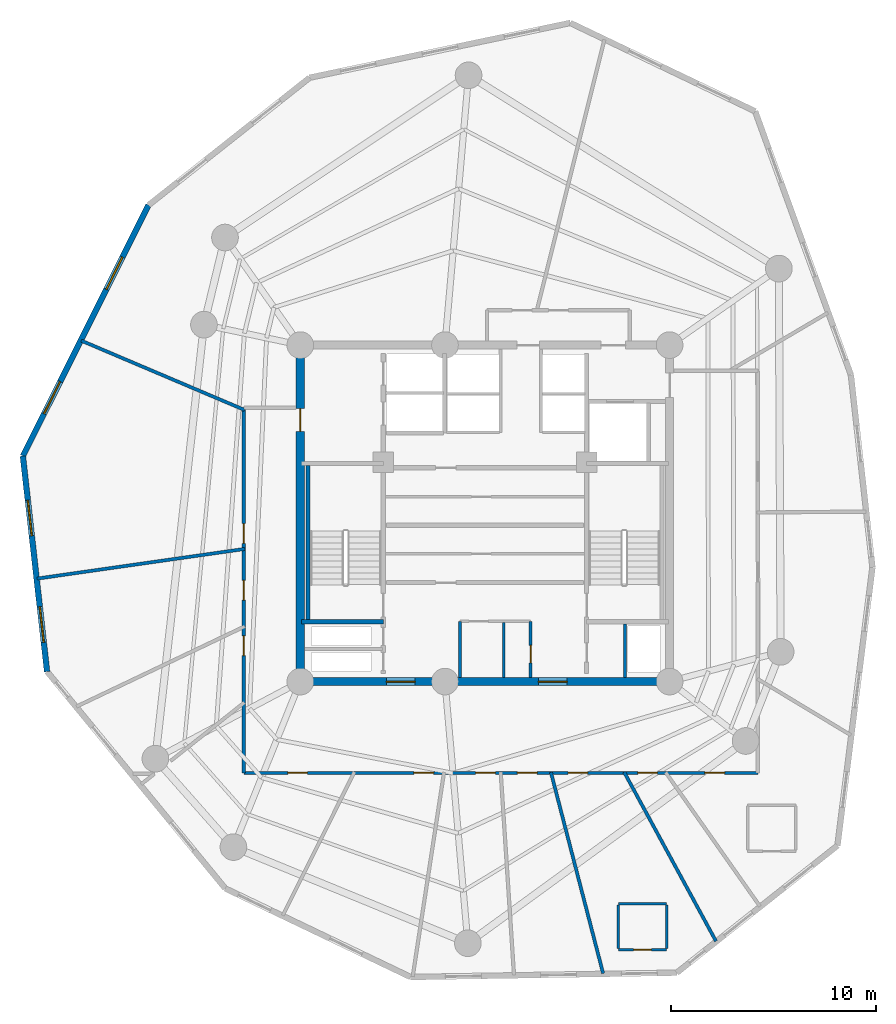
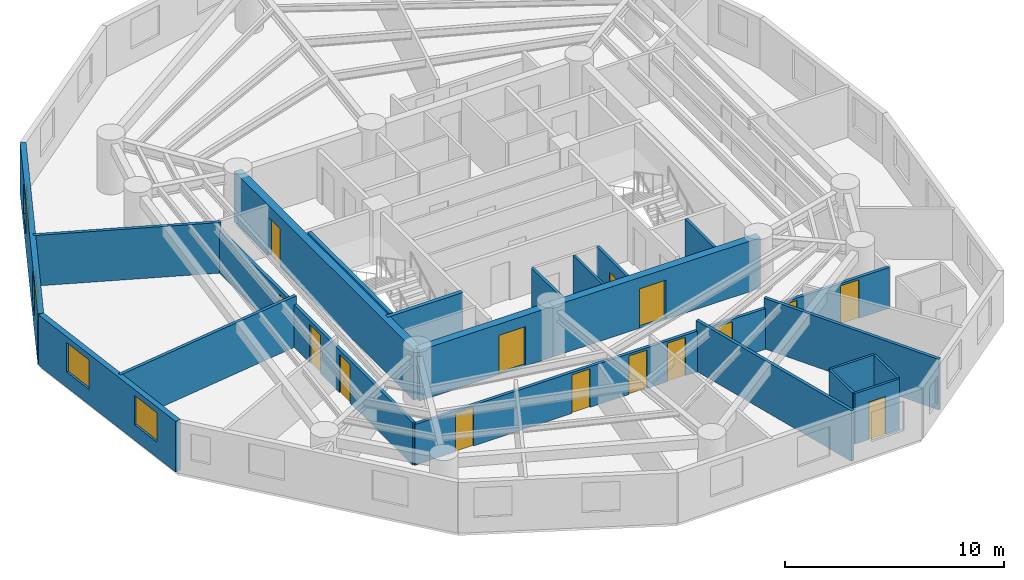
# One storey, part 3 of 7: 21 walls, 15 doors, 4 windows, 19 openings.
"""IFC4 building model written with IfcOpenShell, lengths in metres."""

from ifc_helpers import new_model, si_unit, direction, frame, frame_2d, origin, origin_with_axes, place, context, subcontext, project, spatial, rectangle, extrude, source, transform, mapped, material, layer, layer_set, type_object, element, fill, save


model = new_model("IFC4")

# Units and contexts
model_context = context("Model", 3, precision=1e-05, world=origin(), true_north=direction((0.0, 1.0)))
body_context = subcontext(model_context, "Body", "Model", "MODEL_VIEW")
ifc_project = project(units=[si_unit("LENGTHUNIT", "METRE"), si_unit("AREAUNIT", "SQUARE_METRE"), si_unit("VOLUMEUNIT", "CUBIC_METRE"), si_unit("PLANEANGLEUNIT", "RADIAN"), si_unit("MASSUNIT", "GRAM", prefix="KILO")], contexts=[model_context])

# Site, building, storey
site_placement = place(None, origin())
site = spatial("IfcSite", under=ifc_project, at=site_placement, CompositionType="ELEMENT")
building_placement = place(site_placement, origin())
building = spatial("IfcBuilding", under=site, at=building_placement, Name="Karkom Vertical University and Central Library", CompositionType="ELEMENT")
storey_placement = place(building_placement, frame((0.0, 0.0, 202.300048828125)))
storey = spatial("IfcBuildingStorey", under=building, at=storey_placement, Name="L59", CompositionType="ELEMENT", Elevation=202.300048828125)

# Wall, openings, windows
ifc_material_1 = material(Name="Brick-faced precast concrete C45/55", Category="masonry")
ifc_layer_1 = layer(ifc_material_1, 0.280029296875)
ifc_layer_set_1 = layer_set([ifc_layer_1], Name="Brick-faced precast concrete C45/55")
wall_type_1 = type_object("IfcWallType", Name="ENV-WL-BRK-280", PredefinedType="SOLIDWALL", material=ifc_layer_set_1)
wall_1_placement = place(storey_placement, frame((5.977294921875, 29.293701171875, 0.0), z_axis=(0.0, 0.0, 1.0), x_axis=(0.111475555914, -0.99376717617, 0.0)))
wall_1 = element("IfcWall", 1, at=wall_1_placement, inside=storey, type_object=wall_type_1, Name="Level 59 Brick-Faced Precast Facade Wall 01", PredefinedType="SOLIDWALL", context=body_context, shape_type="SweptSolid", body=[
    extrude(rectangle(XDim=10.57373046875, YDim=0.280029296875, at=frame_2d((5.286865234375, 0.0))), origin(), (0.0, 0.0, 1.0), 2.824951171875),
])
opening_1_placement = place(wall_1_placement, frame((2.161865234375, 0.0, 0.85009765625)))
opening_1 = element("IfcOpeningElement", 2, at=opening_1_placement, cuts=wall_1, Name="Opening WN-08", PredefinedType="OPENING", context=body_context, shape_type="SweptSolid", body=[
    extrude(rectangle(XDim=1.75, YDim=1.64990234375, at=frame_2d((0.875, 0.824951171875))), frame((0.0, 0.14990234375, 0.0), z_axis=(0.0, -1.0, 0.0), x_axis=(1.0, 0.0, 0.0)), (0.0, 0.0, 1.0), 0.300048828125),
])
opening_2_placement = place(wall_1_placement, frame((7.388671875, 0.0, 0.85009765625)))
opening_2 = element("IfcOpeningElement", 3, at=opening_2_placement, cuts=wall_1, Name="Opening WN-08", PredefinedType="OPENING", context=body_context, shape_type="SweptSolid", body=[
    extrude(rectangle(XDim=1.75, YDim=1.64990234375, at=frame_2d((0.875, 0.824951171875))), frame((0.0, 0.14990234375, 0.0), z_axis=(0.0, -1.0, 0.0), x_axis=(1.0, 0.0, 0.0)), (0.0, 0.0, 1.0), 0.300048828125),
])
ifc_material_2 = material(Name="Aluminium thermal-break frame with solar-control IGU", Category="aluminium")
window_type = type_object("IfcWindowType", Name="ENV-WIN-WN-08", PartitioningType="SINGLE_PANEL", PredefinedType="WINDOW", material=ifc_material_2)
shared_shape_1 = source(origin_with_axes(), body_context, "Body", "SweptSolid", [
    extrude(rectangle(XDim=1.75, YDim=1.64990234375, at=frame_2d((0.875, 0.824951171875))), frame((0.0, 0.030029296875, 0.0), z_axis=(0.0, -1.0, 0.0), x_axis=(1.0, 0.0, 0.0)), (0.0, 0.0, 1.0), 0.06005859375),
])
window_1_placement = place(opening_1_placement, origin())
window_1 = element("IfcWindow", 4, at=window_1_placement, inside=storey, type_object=window_type, Name="Level 59 Punched Window 1.1", OverallHeight=1.64990234375, OverallWidth=1.75, PartitioningType="SINGLE_PANEL", PredefinedType="WINDOW", context=body_context, shape_type="MappedRepresentation", body=[
    mapped(shared_shape_1, transform((0.0, 0.0, 0.0), scale=1.0)),
])
fill(opening_1, window_1)
window_2_placement = place(opening_2_placement, origin())
window_2 = element("IfcWindow", 5, at=window_2_placement, inside=storey, type_object=window_type, Name="Level 59 Punched Window 1.2", OverallHeight=1.64990234375, OverallWidth=1.75, PartitioningType="SINGLE_PANEL", PredefinedType="WINDOW", context=body_context, shape_type="MappedRepresentation", body=[
    mapped(shared_shape_1, transform((0.0, 0.0, 0.0), scale=1.0)),
])
fill(opening_2, window_2)

wall_2_placement = place(storey_placement, frame((12.1044921875, 41.52685546875, 0.0), z_axis=(0.0, 0.0, 1.0), x_axis=(-0.447834463904, -0.894116487343, 0.0)))
wall_2 = element("IfcWall", 6, at=wall_2_placement, inside=storey, type_object=wall_type_1, Name="Level 59 Brick-Faced Precast Facade Wall 12", PredefinedType="SOLIDWALL", context=body_context, shape_type="SweptSolid", body=[
    extrude(rectangle(XDim=13.681884765625, YDim=0.280029296875, at=frame_2d((6.8408203125, 0.0))), origin(), (0.0, 0.0, 1.0), 2.824951171875),
])
opening_3_placement = place(wall_2_placement, frame((2.843505859375, 0.0, 0.85009765625)))
opening_3 = element("IfcOpeningElement", 7, at=opening_3_placement, cuts=wall_2, Name="Opening WN-08", PredefinedType="OPENING", context=body_context, shape_type="SweptSolid", body=[
    extrude(rectangle(XDim=1.75, YDim=1.64990234375, at=frame_2d((0.875, 0.824951171875))), frame((0.0, 0.14990234375, 0.0), z_axis=(0.0, -1.0, 0.0), x_axis=(1.0, 0.0, 0.0)), (0.0, 0.0, 1.0), 0.300048828125),
])
opening_4_placement = place(wall_2_placement, frame((9.62451171875, 0.0, 0.85009765625)))
opening_4 = element("IfcOpeningElement", 8, at=opening_4_placement, cuts=wall_2, Name="Opening WN-08", PredefinedType="OPENING", context=body_context, shape_type="SweptSolid", body=[
    extrude(rectangle(XDim=1.75, YDim=1.64990234375, at=frame_2d((0.875, 0.824951171875))), frame((0.0, 0.14990234375, 0.0), z_axis=(0.0, -1.0, 0.0), x_axis=(1.0, 0.0, 0.0)), (0.0, 0.0, 1.0), 0.300048828125),
])
window_3_placement = place(opening_3_placement, origin())
window_3 = element("IfcWindow", 9, at=window_3_placement, inside=storey, type_object=window_type, Name="Level 59 Punched Window 12.1", OverallHeight=1.64990234375, OverallWidth=1.75, PartitioningType="SINGLE_PANEL", PredefinedType="WINDOW", context=body_context, shape_type="MappedRepresentation", body=[
    mapped(shared_shape_1, transform((0.0, 0.0, 0.0), scale=1.0)),
])
fill(opening_3, window_3)
window_4_placement = place(opening_4_placement, origin())
window_4 = element("IfcWindow", 10, at=window_4_placement, inside=storey, type_object=window_type, Name="Level 59 Punched Window 12.2", OverallHeight=1.64990234375, OverallWidth=1.75, PartitioningType="SINGLE_PANEL", PredefinedType="WINDOW", context=body_context, shape_type="MappedRepresentation", body=[
    mapped(shared_shape_1, transform((0.0, 0.0, 0.0), scale=1.0)),
])
fill(opening_4, window_4)

# Wall, openings, doors
ifc_material_3 = material(Name="Insulated metal-stud drywall 160mm", Category="gypsum")
ifc_layer_2 = layer(ifc_material_3, 0.159912109375)
ifc_layer_set_2 = layer_set([ifc_layer_2], Name="Insulated metal-stud drywall 160mm")
wall_type_2 = type_object("IfcWallType", Name="INT-WL-COR-160", PredefinedType="PARTITIONING", material=ifc_layer_set_2)
wall_3_placement = place(storey_placement, frame((41.800048828125, 13.85009765625, 0.0), z_axis=(0.0, 0.0, 1.0), x_axis=(-1.0, 0.0, 0.0)))
wall_3 = element("IfcWall", 11, at=wall_3_placement, inside=storey, type_object=wall_type_2, Name="Level 59 Interior Partition Wall L59-CORW-CW-001", PredefinedType="PARTITIONING", context=body_context, shape_type="SweptSolid", body=[
    extrude(rectangle(XDim=25.050048828125, YDim=0.159912109375, at=frame_2d((12.52490234375, 0.0))), origin(), (0.0, 0.0, 1.0), 2.27490234375),
])
opening_5_placement = place(wall_3_placement, frame((8.29248046875, 0.0, 0.0)))
opening_5 = element("IfcOpeningElement", 12, at=opening_5_placement, cuts=wall_3, Name="Opening FD-RM2", PredefinedType="OPENING", context=body_context, shape_type="SweptSolid", body=[
    extrude(rectangle(XDim=0.9599609375, YDim=2.14990234375, at=frame_2d((0.47998046875, 1.074951171875))), frame((0.0, 0.08984375, 0.0), z_axis=(0.0, -1.0, 0.0), x_axis=(1.0, 0.0, 0.0)), (0.0, 0.0, 1.0), 0.179931640625),
])
opening_6_placement = place(wall_3_placement, frame((1.6201171875, 0.0, 0.0)))
opening_6 = element("IfcOpeningElement", 13, at=opening_6_placement, cuts=wall_3, Name="Opening FD-RM2", PredefinedType="OPENING", context=body_context, shape_type="SweptSolid", body=[
    extrude(rectangle(XDim=0.9599609375, YDim=2.14990234375, at=frame_2d((0.47998046875, 1.074951171875))), frame((0.0, 0.08984375, 0.0), z_axis=(0.0, -1.0, 0.0), x_axis=(1.0, 0.0, 0.0)), (0.0, 0.0, 1.0), 0.179931640625),
])
opening_7_placement = place(wall_3_placement, frame((21.951904296875, 0.0, 0.0)))
opening_7 = element("IfcOpeningElement", 14, at=opening_7_placement, cuts=wall_3, Name="Opening FD-RM2", PredefinedType="OPENING", context=body_context, shape_type="SweptSolid", body=[
    extrude(rectangle(XDim=0.9599609375, YDim=2.14990234375, at=frame_2d((0.47998046875, 1.074951171875))), frame((0.0, 0.08984375, 0.0), z_axis=(0.0, -1.0, 0.0), x_axis=(1.0, 0.0, 0.0)), (0.0, 0.0, 1.0), 0.179931640625),
])
opening_8_placement = place(wall_3_placement, frame((15.8076171875, 0.0, 0.0)))
opening_8 = element("IfcOpeningElement", 15, at=opening_8_placement, cuts=wall_3, Name="Opening FD-RM2", PredefinedType="OPENING", context=body_context, shape_type="SweptSolid", body=[
    extrude(rectangle(XDim=0.9599609375, YDim=2.14990234375, at=frame_2d((0.47998046875, 1.074951171875))), frame((0.0, 0.08984375, 0.0), z_axis=(0.0, -1.0, 0.0), x_axis=(1.0, 0.0, 0.0)), (0.0, 0.0, 1.0), 0.179931640625),
])
opening_9_placement = place(wall_3_placement, frame((12.7900390625, 0.0, 0.0)))
opening_9 = element("IfcOpeningElement", 16, at=opening_9_placement, cuts=wall_3, Name="Opening FD-RM2", PredefinedType="OPENING", context=body_context, shape_type="SweptSolid", body=[
    extrude(rectangle(XDim=0.9599609375, YDim=2.14990234375, at=frame_2d((0.47998046875, 1.074951171875))), frame((0.0, 0.08984375, 0.0), z_axis=(0.0, -1.0, 0.0), x_axis=(1.0, 0.0, 0.0)), (0.0, 0.0, 1.0), 0.179931640625),
])
opening_10_placement = place(wall_3_placement, frame((10.75634765625, 0.0, 0.0)))
opening_10 = element("IfcOpeningElement", 17, at=opening_10_placement, cuts=wall_3, Name="Opening FD-RM2", PredefinedType="OPENING", context=body_context, shape_type="SweptSolid", body=[
    extrude(rectangle(XDim=0.9599609375, YDim=2.14990234375, at=frame_2d((0.47998046875, 1.074951171875))), frame((0.0, 0.08984375, 0.0), z_axis=(0.0, -1.0, 0.0), x_axis=(1.0, 0.0, 0.0)), (0.0, 0.0, 1.0), 0.179931640625),
])
opening_11_placement = place(wall_3_placement, frame((4.8916015625, 0.0, 0.0)))
opening_11 = element("IfcOpeningElement", 18, at=opening_11_placement, cuts=wall_3, Name="Opening FD-RM2", PredefinedType="OPENING", context=body_context, shape_type="SweptSolid", body=[
    extrude(rectangle(XDim=0.9599609375, YDim=2.14990234375, at=frame_2d((0.47998046875, 1.074951171875))), frame((0.0, 0.08984375, 0.0), z_axis=(0.0, -1.0, 0.0), x_axis=(1.0, 0.0, 0.0)), (0.0, 0.0, 1.0), 0.179931640625),
])
ifc_material_4 = material(Name="Fire-rated oak veneer door", Category="wood")
door_type_1 = type_object("IfcDoorType", Name="INT-DR-FRM2", OperationType="NOTDEFINED", PredefinedType="DOOR", material=ifc_material_4)
shared_shape_2 = source(origin_with_axes(), body_context, "Body", "SweptSolid", [
    extrude(rectangle(XDim=0.9599609375, YDim=2.14990234375, at=frame_2d((0.47998046875, 1.074951171875))), frame((0.0, 0.02490234375, 0.0), z_axis=(0.0, -1.0, 0.0), x_axis=(1.0, 0.0, 0.0)), (0.0, 0.0, 1.0), 0.050048828125),
])
door_1_placement = place(opening_5_placement, origin())
door_1 = element("IfcDoor", 19, at=door_1_placement, inside=storey, type_object=door_type_1, Name="Level 59 Room Entry Door 060", OperationType="SINGLE_SWING_LEFT", OverallHeight=2.14990234375, OverallWidth=0.9599609375, PredefinedType="DOOR", context=body_context, shape_type="MappedRepresentation", body=[
    mapped(shared_shape_2, transform((0.0, 0.0, 0.0), scale=1.0)),
])
fill(opening_5, door_1)
door_2_placement = place(opening_6_placement, origin())
door_2 = element("IfcDoor", 20, at=door_2_placement, inside=storey, type_object=door_type_1, Name="Level 59 Room Entry Door 080", OperationType="SINGLE_SWING_LEFT", OverallHeight=2.14990234375, OverallWidth=0.9599609375, PredefinedType="DOOR", context=body_context, shape_type="MappedRepresentation", body=[
    mapped(shared_shape_2, transform((0.0, 0.0, 0.0), scale=1.0)),
])
fill(opening_6, door_2)
door_3_placement = place(opening_7_placement, origin())
door_3 = element("IfcDoor", 21, at=door_3_placement, inside=storey, type_object=door_type_1, Name="Level 59 Room Entry Door 021", OperationType="SINGLE_SWING_RIGHT", OverallHeight=2.14990234375, OverallWidth=0.9599609375, PredefinedType="DOOR", context=body_context, shape_type="MappedRepresentation", body=[
    mapped(shared_shape_2, transform((0.0, 0.0, 0.0), scale=1.0)),
])
fill(opening_7, door_3)
door_4_placement = place(opening_8_placement, origin())
door_4 = element("IfcDoor", 22, at=door_4_placement, inside=storey, type_object=door_type_1, Name="Level 59 Room Entry Door 031", OperationType="SINGLE_SWING_LEFT", OverallHeight=2.14990234375, OverallWidth=0.9599609375, PredefinedType="DOOR", context=body_context, shape_type="MappedRepresentation", body=[
    mapped(shared_shape_2, transform((0.0, 0.0, 0.0), scale=1.0)),
])
fill(opening_8, door_4)
door_5_placement = place(opening_9_placement, origin())
door_5 = element("IfcDoor", 23, at=door_5_placement, inside=storey, type_object=door_type_1, Name="Level 59 Room Entry Door 041", OperationType="SINGLE_SWING_RIGHT", OverallHeight=2.14990234375, OverallWidth=0.9599609375, PredefinedType="DOOR", context=body_context, shape_type="MappedRepresentation", body=[
    mapped(shared_shape_2, transform((0.0, 0.0, 0.0), scale=1.0)),
])
fill(opening_9, door_5)
door_6_placement = place(opening_10_placement, origin())
door_6 = element("IfcDoor", 24, at=door_6_placement, inside=storey, type_object=door_type_1, Name="Level 59 Room Entry Door 051", OperationType="SINGLE_SWING_LEFT", OverallHeight=2.14990234375, OverallWidth=0.9599609375, PredefinedType="DOOR", context=body_context, shape_type="MappedRepresentation", body=[
    mapped(shared_shape_2, transform((0.0, 0.0, 0.0), scale=1.0)),
])
fill(opening_10, door_6)
door_7_placement = place(opening_11_placement, origin())
door_7 = element("IfcDoor", 25, at=door_7_placement, inside=storey, type_object=door_type_1, Name="Level 59 Room Entry Door 071", OperationType="SINGLE_SWING_RIGHT", OverallHeight=2.14990234375, OverallWidth=0.9599609375, PredefinedType="DOOR", context=body_context, shape_type="MappedRepresentation", body=[
    mapped(shared_shape_2, transform((0.0, 0.0, 0.0), scale=1.0)),
])
fill(opening_11, door_7)

wall_4_placement = place(storey_placement, frame((16.75, 13.85009765625, 0.0), z_axis=(0.0, 0.0, 1.0), x_axis=(0.0, 1.0, 0.0)))
wall_4 = element("IfcWall", 26, at=wall_4_placement, inside=storey, type_object=wall_type_2, Name="Level 59 Interior Partition Wall L59-CORW-CW-002", PredefinedType="PARTITIONING", context=body_context, shape_type="SweptSolid", body=[
    extrude(rectangle(XDim=17.7998046875, YDim=0.159912109375, at=frame_2d((8.89990234375, 0.0))), origin(), (0.0, 0.0, 1.0), 2.375),
])
opening_12_placement = place(wall_4_placement, frame((8.425048828125, 0.0, 0.0)))
opening_12 = element("IfcOpeningElement", 27, at=opening_12_placement, cuts=wall_4, Name="Opening FD-RM2", PredefinedType="OPENING", context=body_context, shape_type="SweptSolid", body=[
    extrude(rectangle(XDim=0.9599609375, YDim=2.14990234375, at=frame_2d((0.47998046875, 1.074951171875))), frame((0.0, 0.08984375, 0.0), z_axis=(0.0, -1.0, 0.0), x_axis=(1.0, 0.0, 0.0)), (0.0, 0.0, 1.0), 0.179931640625),
])
opening_13_placement = place(wall_4_placement, frame((5.715087890625, 0.0, 0.0)))
opening_13 = element("IfcOpeningElement", 28, at=opening_13_placement, cuts=wall_4, Name="Opening FD-RM2", PredefinedType="OPENING", context=body_context, shape_type="SweptSolid", body=[
    extrude(rectangle(XDim=0.9599609375, YDim=2.14990234375, at=frame_2d((0.47998046875, 1.074951171875))), frame((0.0, 0.08984375, 0.0), z_axis=(0.0, -1.0, 0.0), x_axis=(1.0, 0.0, 0.0)), (0.0, 0.0, 1.0), 0.179931640625),
])
opening_14_placement = place(wall_4_placement, frame((11.18505859375, 0.0, 0.0)))
opening_14 = element("IfcOpeningElement", 29, at=opening_14_placement, cuts=wall_4, Name="Opening FD-RM2", PredefinedType="OPENING", context=body_context, shape_type="SweptSolid", body=[
    extrude(rectangle(XDim=0.9599609375, YDim=2.14990234375, at=frame_2d((0.47998046875, 1.074951171875))), frame((0.0, 0.08984375, 0.0), z_axis=(0.0, -1.0, 0.0), x_axis=(1.0, 0.0, 0.0)), (0.0, 0.0, 1.0), 0.179931640625),
])
door_8_placement = place(opening_12_placement, origin())
door_8 = element("IfcDoor", 30, at=door_8_placement, inside=storey, type_object=door_type_1, Name="Level 59 Room Entry Door 001", OperationType="SINGLE_SWING_RIGHT", OverallHeight=2.14990234375, OverallWidth=0.9599609375, PredefinedType="DOOR", context=body_context, shape_type="MappedRepresentation", body=[
    mapped(shared_shape_2, transform((0.0, 0.0, 0.0), scale=1.0)),
])
fill(opening_12, door_8)
door_9_placement = place(opening_13_placement, origin())
door_9 = element("IfcDoor", 31, at=door_9_placement, inside=storey, type_object=door_type_1, Name="Level 59 Room Entry Door 011", OperationType="SINGLE_SWING_LEFT", OverallHeight=2.14990234375, OverallWidth=0.9599609375, PredefinedType="DOOR", context=body_context, shape_type="MappedRepresentation", body=[
    mapped(shared_shape_2, transform((0.0, 0.0, 0.0), scale=1.0)),
])
fill(opening_13, door_9)
door_10_placement = place(opening_14_placement, origin())
door_10 = element("IfcDoor", 32, at=door_10_placement, inside=storey, type_object=door_type_1, Name="Level 59 Room Entry Door 131", OperationType="SINGLE_SWING_LEFT", OverallHeight=2.14990234375, OverallWidth=0.9599609375, PredefinedType="DOOR", context=body_context, shape_type="MappedRepresentation", body=[
    mapped(shared_shape_2, transform((0.0, 0.0, 0.0), scale=1.0)),
])
fill(opening_14, door_10)

# Walls
wall_5_placement = place(storey_placement, frame((6.672607421875, 23.319091796875, 0.0), z_axis=(0.0, 0.0, 1.0), x_axis=(0.989935640322, 0.141518295711, 0.0)))
element("IfcWall", 33, at=wall_5_placement, inside=storey, type_object=wall_type_2, Name="Level 59 Interior Partition Wall L59-PW-002", PredefinedType="PARTITIONING", context=body_context, shape_type="SweptSolid", body=[
    extrude(rectangle(XDim=10.22509765625, YDim=0.159912109375, at=frame_2d((5.112548828125, 0.0))), origin(), (0.0, 0.0, 1.0), 2.824951171875),
])
wall_6_placement = place(storey_placement, frame((31.71435546875, 13.87890625, 0.0), z_axis=(0.0, 0.0, 1.0), x_axis=(0.251271670443, -0.96791660159, 0.0)))
element("IfcWall", 34, at=wall_6_placement, inside=storey, type_object=wall_type_2, Name="Level 59 Interior Partition Wall L59-PW-009", PredefinedType="PARTITIONING", context=body_context, shape_type="SweptSolid", body=[
    extrude(rectangle(XDim=10.128173828125, YDim=0.159912109375, at=frame_2d((5.06396484375, 0.0))), origin(), (0.0, 0.0, 1.0), 2.824951171875),
])
wall_7_placement = place(storey_placement, frame((35.2822265625, 13.8896484375, 0.0), z_axis=(0.0, 0.0, 1.0), x_axis=(0.477383117322, -0.87869525963, 0.0)))
element("IfcWall", 35, at=wall_7_placement, inside=storey, type_object=wall_type_2, Name="Level 59 Interior Partition Wall L59-PW-010", PredefinedType="PARTITIONING", context=body_context, shape_type="SweptSolid", body=[
    extrude(rectangle(XDim=9.377685546875, YDim=0.159912109375, at=frame_2d((4.68896484375, 0.0))), origin(), (0.0, 0.0, 1.0), 2.824951171875),
])
wall_8_placement = place(storey_placement, frame((16.777587890625, 31.541015625, 0.0), z_axis=(0.0, 0.0, 1.0), x_axis=(-0.920505741616, 0.3907290361, 0.0)))
element("IfcWall", 36, at=wall_8_placement, inside=storey, type_object=wall_type_2, Name="Level 59 Interior Partition Wall L59-PW-016", PredefinedType="PARTITIONING", context=body_context, shape_type="SweptSolid", body=[
    extrude(rectangle(XDim=8.64208984375, YDim=0.159912109375, at=frame_2d((4.321044921875, 0.0))), origin(), (0.0, 0.0, 1.0), 2.824951171875),
])
ifc_material_5 = material(Name="Moisture-resistant drywall 120mm", Category="gypsum")
ifc_layer_3 = layer(ifc_material_5, 0.1201171875)
ifc_layer_set_3 = layer_set([ifc_layer_3], Name="Moisture-resistant drywall 120mm")
wall_type_3 = type_object("IfcWallType", Name="INT-WL-INT-120", PredefinedType="PARTITIONING", material=ifc_layer_set_3)
wall_9_placement = place(storey_placement, frame((29.419921875, 18.507080078125, 0.0), z_axis=(0.0, 0.0, 1.0), x_axis=(0.0, 1.0, 0.0)))
element("IfcWall", 37, at=wall_9_placement, inside=storey, type_object=wall_type_3, Name="Level 59 Interior Partition Wall L59-CW-K3-DIV", PredefinedType="PARTITIONING", context=body_context, shape_type="SweptSolid", body=[
    extrude(rectangle(XDim=2.66162109375, YDim=0.1201171875, at=frame_2d((1.330810546875, 0.0))), origin(), (0.0, 0.0, 1.0), 2.824951171875),
])

# Wall, opening, door
ifc_layer_4 = layer(ifc_material_5, 0.1201171875)
ifc_layer_set_4 = layer_set([ifc_layer_4], Name="Moisture-resistant drywall 120mm")
wall_type_4 = type_object("IfcWallType", Name="INT-WL-INT-120F", PredefinedType="PARTITIONING", material=ifc_layer_set_4)
wall_10_placement = place(storey_placement, frame((34.998046875, 5.23291015625, 0.0), z_axis=(0.0, 0.0, 1.0), x_axis=(1.0, 0.0, 0.0)))
wall_10 = element("IfcWall", 38, at=wall_10_placement, inside=storey, type_object=wall_type_4, Name="Level 59 Interior Partition Wall L59-ENS-06-S", PredefinedType="PARTITIONING", context=body_context, shape_type="SweptSolid", body=[
    extrude(rectangle(XDim=2.35986328125, YDim=0.1201171875, at=frame_2d((1.179931640625, 0.0))), origin(), (0.0, 0.0, 1.0), 2.824951171875),
])
opening_15_placement = place(wall_10_placement, frame((0.75, 0.0, 0.0)))
opening_15 = element("IfcOpeningElement", 39, at=opening_15_placement, cuts=wall_10, Name="Opening D-BATH", PredefinedType="OPENING", context=body_context, shape_type="SweptSolid", body=[
    extrude(rectangle(XDim=0.860107421875, YDim=2.10009765625, at=frame_2d((0.43017578125, 1.050048828125))), frame((0.0, 0.070068359375, 0.0), z_axis=(0.0, -1.0, 0.0), x_axis=(1.0, 0.0, 0.0)), (0.0, 0.0, 1.0), 0.14013671875),
])
ifc_material_6 = material(Name="Moisture-resistant oak door", Category="wood")
door_type_2 = type_object("IfcDoorType", Name="INT-DR-BATH", OperationType="NOTDEFINED", PredefinedType="DOOR", material=ifc_material_6)
shared_shape_3 = source(origin_with_axes(), body_context, "Body", "SweptSolid", [
    extrude(rectangle(XDim=0.860107421875, YDim=2.10009765625, at=frame_2d((0.43017578125, 1.050048828125))), frame((0.0, 0.02490234375, 0.0), z_axis=(0.0, -1.0, 0.0), x_axis=(1.0, 0.0, 0.0)), (0.0, 0.0, 1.0), 0.050048828125),
])
door_11_placement = place(opening_15_placement, origin())
door_11 = element("IfcDoor", 40, at=door_11_placement, inside=storey, type_object=door_type_2, Name="Level 59 En-Suite Bathroom Door 06", OperationType="SINGLE_SWING_RIGHT", OverallHeight=2.10009765625, OverallWidth=0.860107421875, PredefinedType="DOOR", context=body_context, shape_type="MappedRepresentation", body=[
    mapped(shared_shape_3, transform((0.0, 0.0, 0.0), scale=1.0)),
])
fill(opening_15, door_11)

# Walls
wall_11_placement = place(storey_placement, frame((37.35791015625, 7.472900390625, 0.0), z_axis=(0.0, 0.0, 1.0), x_axis=(-1.0, 0.0, 0.0)))
element("IfcWall", 41, at=wall_11_placement, inside=storey, type_object=wall_type_4, Name="Level 59 Interior Partition Wall L59-ENS-06-N", PredefinedType="PARTITIONING", context=body_context, shape_type="SweptSolid", body=[
    extrude(rectangle(XDim=2.35986328125, YDim=0.1201171875, at=frame_2d((1.179931640625, 0.0))), origin(), (0.0, 0.0, 1.0), 2.824951171875),
])
for number, where, z_axis, x_axis, name in (
    (42, (37.35791015625, 5.282958984375, 0.0), (0.0, 0.0, 1.0), (0.0, 1.0, 0.0), "Level 59 Interior Partition Wall L59-ENS-06-E"),
    (43, (34.998046875, 7.423095703125, 0.0), (0.0, 0.0, 1.0), (0.0, -1.0, 0.0), "Level 59 Interior Partition Wall L59-ENS-06-W"),
):
    element("IfcWall", number, at=place(storey_placement, frame(where, z_axis=z_axis, x_axis=x_axis)), inside=storey, type_object=wall_type_4, Name=name, PredefinedType="PARTITIONING", context=body_context, shape_type="SweptSolid", body=[
        extrude(rectangle(XDim=2.14013671875, YDim=0.1201171875, at=frame_2d((1.070068359375, 0.0))), origin(), (0.0, 0.0, 1.0), 2.824951171875),
    ])
ifc_material_7 = material(Name="Metal-stud gypsum partition 140mm", Category="gypsum")
ifc_layer_5 = layer(ifc_material_7, 0.139892578125)
ifc_layer_set_5 = layer_set([ifc_layer_5], Name="Metal-stud gypsum partition 140mm")
wall_type_5 = type_object("IfcWallType", Name="INT-WL-SUB-140", PredefinedType="PARTITIONING", material=ifc_layer_set_5)
wall_12_placement = place(storey_placement, frame((27.280029296875, 18.507080078125, 0.0), z_axis=(0.0, 0.0, 1.0), x_axis=(0.0, 1.0, 0.0)))
element("IfcWall", 44, at=wall_12_placement, inside=storey, type_object=wall_type_5, Name="Level 59 Interior Partition Wall L59-CW-KBAY-W", PredefinedType="PARTITIONING", context=body_context, shape_type="SweptSolid", body=[
    extrude(rectangle(XDim=2.73291015625, YDim=0.139892578125, at=frame_2d((1.366455078125, 0.0))), origin(), (0.0, 0.0, 1.0), 2.824951171875),
])

# Wall, opening, door
wall_13_placement = place(storey_placement, frame((30.719970703125, 18.507080078125, 0.0), z_axis=(0.0, 0.0, 1.0), x_axis=(0.0, 1.0, 0.0)))
wall_13 = element("IfcWall", 45, at=wall_13_placement, inside=storey, type_object=wall_type_5, Name="Level 59 Interior Partition Wall L59-CW-KBAY-E", PredefinedType="PARTITIONING", context=body_context, shape_type="SweptSolid", body=[
    extrude(rectangle(XDim=2.73291015625, YDim=0.139892578125, at=frame_2d((1.366455078125, 0.0))), origin(), (0.0, 0.0, 1.0), 2.824951171875),
])
opening_16_placement = place(wall_13_placement, frame((0.699951171875, 0.0, 0.0)))
opening_16 = element("IfcOpeningElement", 46, at=opening_16_placement, cuts=wall_13, Name="Opening D-BATH", PredefinedType="OPENING", context=body_context, shape_type="SweptSolid", body=[
    extrude(rectangle(XDim=0.860107421875, YDim=2.10009765625, at=frame_2d((0.43017578125, 1.050048828125))), frame((0.0, 0.080078125, 0.0), z_axis=(0.0, -1.0, 0.0), x_axis=(1.0, 0.0, 0.0)), (0.0, 0.0, 1.0), 0.159912109375),
])
door_12_placement = place(opening_16_placement, origin())
door_12 = element("IfcDoor", 47, at=door_12_placement, inside=storey, type_object=door_type_2, Name="Level 59 Janitor Door", OperationType="SINGLE_SWING_RIGHT", OverallHeight=2.10009765625, OverallWidth=0.860107421875, PredefinedType="DOOR", context=body_context, shape_type="MappedRepresentation", body=[
    mapped(shared_shape_3, transform((0.0, 0.0, 0.0), scale=1.0)),
])
fill(opening_16, door_12)

# Wall
ifc_layer_6 = layer(ifc_material_7, 0.139892578125)
ifc_layer_set_6 = layer_set([ifc_layer_6], Name="Metal-stud gypsum partition 140mm")
wall_type_6 = type_object("IfcWallType", Name="INT-WL-SUB-140H", PredefinedType="PARTITIONING", material=ifc_layer_set_6)
wall_14_placement = place(storey_placement, frame((35.320068359375, 18.507080078125, 0.0), z_axis=(0.0, 0.0, 1.0), x_axis=(0.0, 1.0, 0.0)))
element("IfcWall", 48, at=wall_14_placement, inside=storey, type_object=wall_type_6, Name="Level 59 Interior Partition Wall L59-CW-RIS-E", PredefinedType="PARTITIONING", context=body_context, shape_type="SweptSolid", body=[
    extrude(rectangle(XDim=2.603759765625, YDim=0.139892578125, at=frame_2d((1.3017578125, 0.0))), origin(), (0.0, 0.0, 1.0), 2.824951171875),
])

# Wall, opening, door
ifc_material_8 = material(Name="Concrete C50/60", Category="concrete")
ifc_layer_7 = layer(ifc_material_8, 0.39990234375)
ifc_layer_set_7 = layer_set([ifc_layer_7], Name="Concrete C50/60")
wall_type_7 = type_object("IfcWallType", Name="STR-WL-CW-400", PredefinedType="SHEAR", material=ifc_layer_set_7)
wall_15_placement = place(storey_placement, frame((19.5, 18.300048828125, 0.0), z_axis=(0.0, 0.0, 1.0), x_axis=(1.0, 0.0, 0.0)))
wall_15 = element("IfcWall", 49, at=wall_15_placement, inside=storey, type_object=wall_type_7, Name="Level 59 Central Core Shear Wall SW1", PredefinedType="SHEAR", context=body_context, shape_type="SweptSolid", body=[
    extrude(rectangle(XDim=7.050048828125, YDim=0.39990234375, at=frame_2d((3.52490234375, 0.0))), origin(), (0.0, 0.0, 1.0), 2.824951171875),
])
opening_17_placement = place(wall_15_placement, frame((4.199951171875, 0.0, 0.0)))
opening_17 = element("IfcOpeningElement", 50, at=opening_17_placement, cuts=wall_15, Name="Opening FD-CLB", PredefinedType="OPENING", context=body_context, shape_type="SweptSolid", body=[
    extrude(rectangle(XDim=1.39990234375, YDim=2.199951171875, at=frame_2d((0.699951171875, 1.10009765625))), frame((0.0, 0.2099609375, 0.0), z_axis=(0.0, -1.0, 0.0), x_axis=(1.0, 0.0, 0.0)), (0.0, 0.0, 1.0), 0.419921875),
])
ifc_material_9 = material(Name="Painted steel fire door", Category="steel")
door_type_3 = type_object("IfcDoorType", Name="INT-DR-CLB", OperationType="DOUBLE_DOOR_SINGLE_SWING", PredefinedType="DOOR", material=ifc_material_9)
shared_shape_4 = source(origin_with_axes(), body_context, "Body", "SweptSolid", [
    extrude(rectangle(XDim=1.39990234375, YDim=2.199951171875, at=frame_2d((0.699951171875, 1.10009765625))), frame((0.0, 0.02490234375, 0.0), z_axis=(0.0, -1.0, 0.0), x_axis=(1.0, 0.0, 0.0)), (0.0, 0.0, 1.0), 0.050048828125),
])
door_13_placement = place(opening_17_placement, origin())
door_13 = element("IfcDoor", 51, at=door_13_placement, inside=storey, type_object=door_type_3, Name="Level 59 South Core Lobby West Exit Door", OperationType="DOUBLE_DOOR_SINGLE_SWING", OverallHeight=2.199951171875, OverallWidth=1.39990234375, PredefinedType="DOOR", context=body_context, shape_type="MappedRepresentation", body=[
    mapped(shared_shape_4, transform((0.0, 0.0, 0.0), scale=1.0)),
])
fill(opening_17, door_13)

wall_16_placement = place(storey_placement, frame((26.550048828125, 18.300048828125, 0.0), z_axis=(0.0, 0.0, 1.0), x_axis=(1.0, 0.0, 0.0)))
wall_16 = element("IfcWall", 52, at=wall_16_placement, inside=storey, type_object=wall_type_7, Name="Level 59 Central Core Shear Wall SW2", PredefinedType="SHEAR", context=body_context, shape_type="SweptSolid", body=[
    extrude(rectangle(XDim=10.949951171875, YDim=0.39990234375, at=frame_2d((5.47509765625, 0.0))), origin(), (0.0, 0.0, 1.0), 2.824951171875),
])
opening_18_placement = place(wall_16_placement, frame((4.550048828125, 0.0, 0.0)))
opening_18 = element("IfcOpeningElement", 53, at=opening_18_placement, cuts=wall_16, Name="Opening FD-CLB", PredefinedType="OPENING", context=body_context, shape_type="SweptSolid", body=[
    extrude(rectangle(XDim=1.39990234375, YDim=2.199951171875, at=frame_2d((0.699951171875, 1.10009765625))), frame((0.0, 0.2099609375, 0.0), z_axis=(0.0, -1.0, 0.0), x_axis=(1.0, 0.0, 0.0)), (0.0, 0.0, 1.0), 0.419921875),
])
door_14_placement = place(opening_18_placement, origin())
door_14 = element("IfcDoor", 54, at=door_14_placement, inside=storey, type_object=door_type_3, Name="Level 59 South Core Lobby East Exit Door", OperationType="DOUBLE_DOOR_SINGLE_SWING", OverallHeight=2.199951171875, OverallWidth=1.39990234375, PredefinedType="DOOR", context=body_context, shape_type="MappedRepresentation", body=[
    mapped(shared_shape_4, transform((0.0, 0.0, 0.0), scale=1.0)),
])
fill(opening_18, door_14)

wall_17_placement = place(storey_placement, frame((19.5, 34.699951171875, 0.0), z_axis=(0.0, 0.0, 1.0), x_axis=(0.0, -1.0, 0.0)))
wall_17 = element("IfcWall", 55, at=wall_17_placement, inside=storey, type_object=wall_type_7, Name="Level 59 Central Core Shear Wall WW", PredefinedType="SHEAR", context=body_context, shape_type="SweptSolid", body=[
    extrude(rectangle(XDim=16.39990234375, YDim=0.39990234375, at=frame_2d((8.199951171875, 0.0))), origin(), (0.0, 0.0, 1.0), 2.824951171875),
])
opening_19_placement = place(wall_17_placement, frame((3.10009765625, 0.0, 0.0)))
opening_19 = element("IfcOpeningElement", 56, at=opening_19_placement, cuts=wall_17, Name="Opening FD-FFL", PredefinedType="OPENING", context=body_context, shape_type="SweptSolid", body=[
    extrude(rectangle(XDim=1.10009765625, YDim=2.14990234375, at=frame_2d((0.550048828125, 1.074951171875))), frame((0.0, 0.2099609375, 0.0), z_axis=(0.0, -1.0, 0.0), x_axis=(1.0, 0.0, 0.0)), (0.0, 0.0, 1.0), 0.419921875),
])
ifc_material_10 = material(Name="Painted steel smoke-seal fire door", Category="steel")
door_type_4 = type_object("IfcDoorType", Name="INT-DR-FFL", OperationType="NOTDEFINED", PredefinedType="DOOR", material=ifc_material_10)
shared_shape_5 = source(origin_with_axes(), body_context, "Body", "SweptSolid", [
    extrude(rectangle(XDim=1.10009765625, YDim=2.14990234375, at=frame_2d((0.550048828125, 1.074951171875))), frame((0.0, 0.02490234375, 0.0), z_axis=(0.0, -1.0, 0.0), x_axis=(1.0, 0.0, 0.0)), (0.0, 0.0, 1.0), 0.050048828125),
])
door_15_placement = place(opening_19_placement, origin())
door_15 = element("IfcDoor", 57, at=door_15_placement, inside=storey, type_object=door_type_4, Name="Level 59 West Corridor Firefighting Lobby Door", OperationType="SINGLE_SWING_LEFT", OverallHeight=2.14990234375, OverallWidth=1.10009765625, PredefinedType="DOOR", context=body_context, shape_type="MappedRepresentation", body=[
    mapped(shared_shape_5, transform((0.0, 0.0, 0.0), scale=1.0)),
])
fill(opening_19, door_15)

# Walls
ifc_material_11 = material(Name="Concrete C45/55", Category="concrete")
ifc_layer_8 = layer(ifc_material_11, 0.199951171875)
ifc_layer_set_8 = layer_set([ifc_layer_8], Name="Concrete C45/55")
wall_type_8 = type_object("IfcWallType", Name="STR-WL-ST-200", PredefinedType="SHEAR", material=ifc_layer_set_8)
wall_18_placement = place(storey_placement, frame((19.875, 21.320068359375, 0.0), z_axis=(0.0, 0.0, 1.0), x_axis=(0.0, 1.0, 0.0)))
element("IfcWall", 58, at=wall_18_placement, inside=storey, type_object=wall_type_8, Name="Level 59 Core Shaft Wall L59-CW-ST1-W", PredefinedType="SHEAR", context=body_context, shape_type="SweptSolid", body=[
    extrude(rectangle(XDim=7.5, YDim=0.199951171875, at=frame_2d((3.75, 0.0))), origin(), (0.0, 0.0, 1.0), 2.824951171875),
])
wall_19_placement = place(storey_placement, frame((19.550048828125, 21.215087890625, 0.0), z_axis=(0.0, 0.0, 1.0), x_axis=(1.0, 0.0, 0.0)))
element("IfcWall", 59, at=wall_19_placement, inside=storey, type_object=wall_type_8, Name="Level 59 Core Shaft Wall L59-CW-ST1-S", PredefinedType="SHEAR", context=body_context, shape_type="SweptSolid", body=[
    extrude(rectangle(XDim=3.994873046875, YDim=0.199951171875, at=frame_2d((1.99755859375, 0.0))), origin(), (0.0, 0.0, 1.0), 2.824951171875),
])

save(model, "model.ifc")
